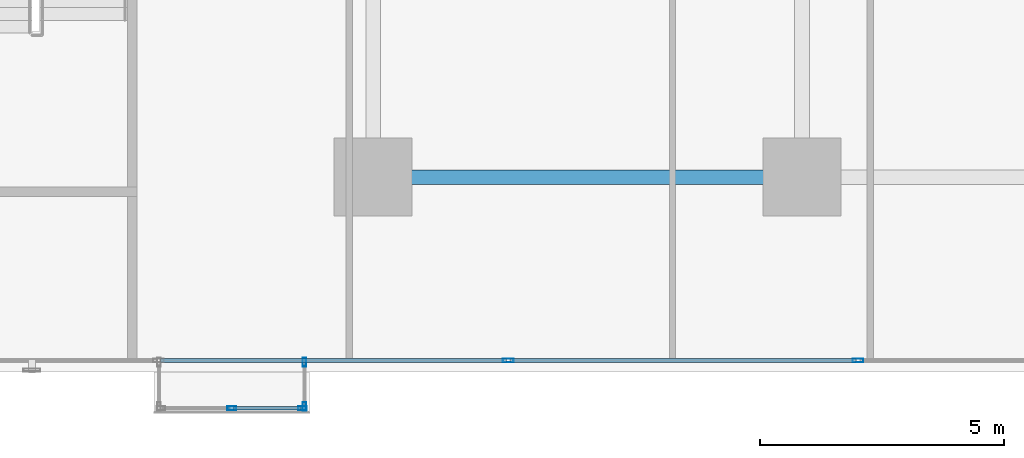
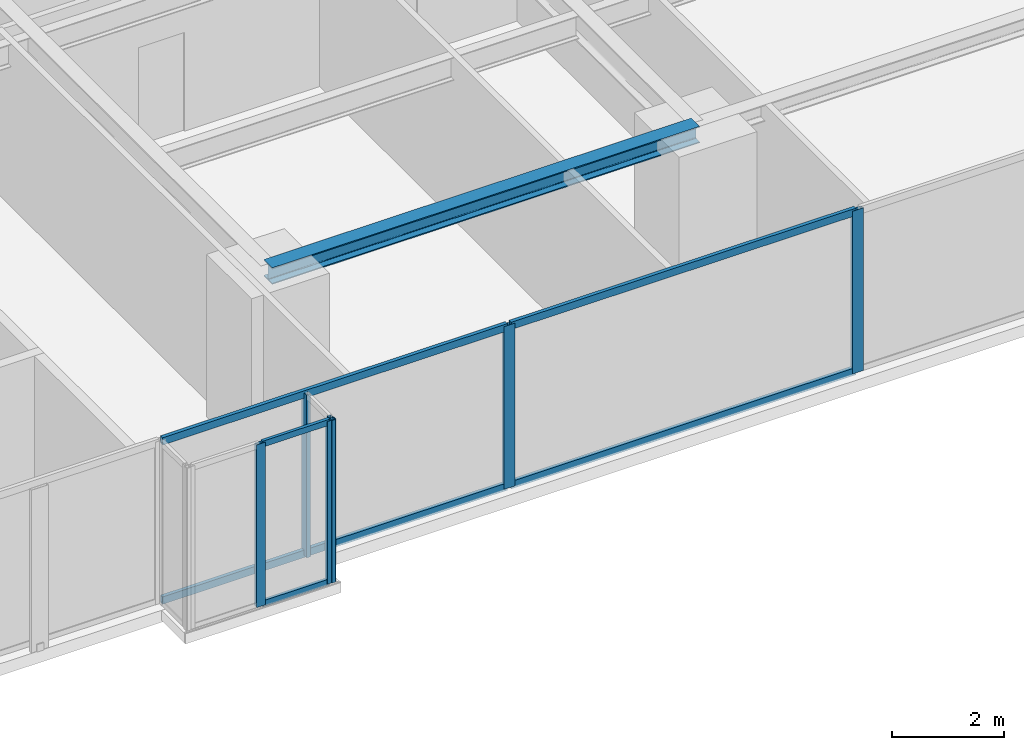
# One storey, part 9 of 31: 12 members, 1 beam, 3 elements without a shape of their own.
"""IFC4 building model written with IfcOpenShell, lengths in metres."""

from ifc_helpers import new_model, si_unit, direction, frame, origin, origin_with_axes, origin_2d, place, context, subcontext, project, spatial, hollow_rectangle, i_section, extrude, source, transform, mapped, material, layer, layer_set, material_profile, profile_set, type_object, element, aggregate, save


model = new_model("IFC4")

# Units and contexts
model_context = context("Model", 3, precision=1e-05, world=origin(), true_north=direction((0.0, 1.0)))
body_context = subcontext(model_context, "Body", "Model", "MODEL_VIEW")
ifc_project = project(units=[si_unit("LENGTHUNIT", "METRE"), si_unit("AREAUNIT", "SQUARE_METRE"), si_unit("VOLUMEUNIT", "CUBIC_METRE"), si_unit("PLANEANGLEUNIT", "RADIAN"), si_unit("MASSUNIT", "GRAM", prefix="KILO")], contexts=[model_context])

# Site, building, storey
site_placement = place(None, origin())
site = spatial("IfcSite", under=ifc_project, at=site_placement, CompositionType="ELEMENT")
building_placement = place(site_placement, origin())
building = spatial("IfcBuilding", under=site, at=building_placement, Name="Kolvaren Waterfront Exchange", CompositionType="ELEMENT")
storey_placement = place(building_placement, frame((0.0, 0.0, 67.60009765625)))
storey = spatial("IfcBuildingStorey", under=building, at=storey_placement, Name="L17", CompositionType="ELEMENT", Elevation=67.60009765625)

# Beam
ifc_material_1 = material(Name="Steel S355", Category="steel")
ifc_material_profile_1 = material_profile(ifc_material_1, i_section(OverallWidth=0.300048828125, OverallDepth=0.360107421875, WebThickness=0.012451171875, FlangeThickness=0.0224609375, FilletRadius=0.027099609375, at=origin_2d()), Name="HEB360")
ifc_profile_set_1 = profile_set([ifc_material_profile_1], Name="Steel S355")
beam_type = type_object("IfcBeamType", Name="STR-BM-HEB360", PredefinedType="SPANDREL", material=ifc_profile_set_1)
beam_placement = place(storey_placement, frame((36.800048828125, 5.199951171875, 3.35986328125), z_axis=(1.0, 0.0, 0.0), x_axis=(0.0, 1.0, 0.0)))
element("IfcBeam", 1, at=beam_placement, inside=storey, type_object=beam_type, Name="L17 east-arm spandrel S3", PredefinedType="SPANDREL", context=body_context, shape_type="SweptSolid", body=[
    extrude(i_section(OverallWidth=0.300048828125, OverallDepth=0.360107421875, WebThickness=0.012451171875, FlangeThickness=0.0224609375, FilletRadius=0.027099609375, at=origin_2d()), origin(), (0.0, 0.0, 1.0), 8.800048828125),
])

# Curtain wall, members
ifc_material_2 = material(Name="Anodised bronze aluminium 6063-T6", Category="aluminium")
ifc_layer_1 = layer(ifc_material_2, 0.219970703125, Name="Anodised bronze aluminium 6063-T6")
ifc_layer_set_1 = layer_set([ifc_layer_1], Name="Anodised bronze aluminium 6063-T6")
curtain_wall_type_1 = type_object("IfcCurtainWallType", Name="ARC-CW-SYS1", PredefinedType="USERDEFINED", material=ifc_layer_set_1)
curtain_wall_1_placement = place(storey_placement, origin())
curtain_wall_1 = element("IfcCurtainWall", 2, at=curtain_wall_1_placement, inside=storey, type_object=curtain_wall_type_1, Name="L17 stick curtain wall CW1 (CW-L17-S)", ObjectType="STICK CURTAIN WALL", PredefinedType="USERDEFINED")
ifc_material_3 = material(Name="Anodised aluminium 6063-T6", Category="aluminium")
ifc_material_profile_2 = material_profile(ifc_material_3, hollow_rectangle(XDim=0.080078125, YDim=0.219970703125, WallThickness=0.0048828125, at=origin_2d()), Name="ALU-MUL-220x80x5")
ifc_profile_set_2 = profile_set([ifc_material_profile_2], Name="Anodised aluminium 6063-T6")
member_type_1 = type_object("IfcMemberType", Name="ARC-CWM-220", PredefinedType="MULLION", material=ifc_profile_set_2)
shared_shape_1 = source(origin_with_axes(), body_context, "Body", "SweptSolid", [
    extrude(hollow_rectangle(XDim=0.080078125, YDim=0.219970703125, WallThickness=0.0048828125, at=origin_2d()), origin(), (0.0, 0.0, 1.0), 3.539794921875),
])
member_1_placement = place(storey_placement, frame((39.574951171875, 1.43994140625, 0.0), z_axis=(0.0, 0.0, 1.0), x_axis=(0.0, 1.0, 0.0)))
member_1 = element("IfcMember", 3, at=member_1_placement, type_object=member_type_1, Name="CW1 mullion 6", PredefinedType="MULLION", context=body_context, shape_type="MappedRepresentation", body=[
    mapped(shared_shape_1, transform((0.0, 0.0, 0.0), x_axis=(1.0, 0.0, 0.0), y_axis=(0.0, 1.0, 0.0), z_axis=(0.0, 0.0, 1.0), scale=1.0)),
])
member_2_placement = place(storey_placement, frame((46.75, 1.43994140625, 0.0), z_axis=(0.0, 0.0, 1.0), x_axis=(0.0, 1.0, 0.0)))
member_2 = element("IfcMember", 4, at=member_2_placement, type_object=member_type_1, Name="CW1 mullion 7", PredefinedType="MULLION", context=body_context, shape_type="MappedRepresentation", body=[
    mapped(shared_shape_1, transform((0.0, 0.0, 0.0), x_axis=(1.0, 0.0, 0.0), y_axis=(0.0, 1.0, 0.0), z_axis=(0.0, 0.0, 1.0), scale=1.0)),
])
ifc_material_profile_3 = material_profile(ifc_material_3, hollow_rectangle(XDim=0.074951171875, YDim=0.159912109375, WallThickness=0.00439453125, at=origin_2d()), Name="ALU-TRN-160x75x4.5")
ifc_profile_set_3 = profile_set([ifc_material_profile_3], Name="Anodised aluminium 6063-T6")
member_type_2 = type_object("IfcMemberType", Name="ARC-CWT-160", PredefinedType="USERDEFINED", material=ifc_profile_set_3)
shared_shape_2 = source(origin_with_axes(), body_context, "Body", "SweptSolid", [
    extrude(hollow_rectangle(XDim=0.074951171875, YDim=0.159912109375, WallThickness=0.00439453125, at=origin_2d()), origin(), (0.0, 0.0, 1.0), 7.094970703125),
])
member_3_placement = place(storey_placement, frame((32.43994140625, 1.43994140625, 0.037353515625), z_axis=(1.0, 0.0, 0.0), x_axis=(0.0, 1.0, 0.0)))
member_3 = element("IfcMember", 5, at=member_3_placement, type_object=member_type_2, Name="CW1 transom 5.1", ObjectType="TRANSOM", PredefinedType="USERDEFINED", context=body_context, shape_type="MappedRepresentation", body=[
    mapped(shared_shape_2, transform((0.0, 0.0, 0.0), x_axis=(1.0, 0.0, 0.0), y_axis=(0.0, 1.0, 0.0), z_axis=(0.0, 0.0, 1.0), scale=1.0)),
])
member_4_placement = place(storey_placement, frame((32.43994140625, 1.43994140625, 3.50244140625), z_axis=(1.0, 0.0, 0.0), x_axis=(0.0, 1.0, 0.0)))
member_4 = element("IfcMember", 6, at=member_4_placement, type_object=member_type_2, Name="CW1 transom 5.2", ObjectType="TRANSOM", PredefinedType="USERDEFINED", context=body_context, shape_type="MappedRepresentation", body=[
    mapped(shared_shape_2, transform((0.0, 0.0, 0.0), x_axis=(1.0, 0.0, 0.0), y_axis=(0.0, 1.0, 0.0), z_axis=(0.0, 0.0, 1.0), scale=1.0)),
])
member_5_placement = place(storey_placement, frame((39.614990234375, 1.43994140625, 0.037353515625), z_axis=(1.0, 0.0, 0.0), x_axis=(0.0, 1.0, 0.0)))
member_5 = element("IfcMember", 7, at=member_5_placement, type_object=member_type_2, Name="CW1 transom 6.1", ObjectType="TRANSOM", PredefinedType="USERDEFINED", context=body_context, shape_type="MappedRepresentation", body=[
    mapped(shared_shape_2, transform((0.0, 0.0, 0.0), x_axis=(1.0, 0.0, 0.0), y_axis=(0.0, 1.0, 0.0), z_axis=(0.0, 0.0, 1.0), scale=1.0)),
])
member_6_placement = place(storey_placement, frame((39.614990234375, 1.43994140625, 3.50244140625), z_axis=(1.0, 0.0, 0.0), x_axis=(0.0, 1.0, 0.0)))
member_6 = element("IfcMember", 8, at=member_6_placement, type_object=member_type_2, Name="CW1 transom 6.2", ObjectType="TRANSOM", PredefinedType="USERDEFINED", context=body_context, shape_type="MappedRepresentation", body=[
    mapped(shared_shape_2, transform((0.0, 0.0, 0.0), x_axis=(1.0, 0.0, 0.0), y_axis=(0.0, 1.0, 0.0), z_axis=(0.0, 0.0, 1.0), scale=1.0)),
])
aggregate(curtain_wall_1, [member_1, member_2, member_3, member_4, member_5, member_6])

ifc_layer_2 = layer(ifc_material_2, 0.219970703125, Name="Anodised bronze aluminium 6063-T6")
ifc_layer_set_2 = layer_set([ifc_layer_2], Name="Anodised bronze aluminium 6063-T6")
curtain_wall_type_2 = type_object("IfcCurtainWallType", Name="ARC-CW-SYS3", PredefinedType="USERDEFINED", material=ifc_layer_set_2)
curtain_wall_2_placement = place(storey_placement, origin())
curtain_wall_2 = element("IfcCurtainWall", 9, at=curtain_wall_2_placement, inside=storey, type_object=curtain_wall_type_2, Name="L17 stick curtain wall CW3 (CW-L17-BOX)", ObjectType="STICK CURTAIN WALL", PredefinedType="USERDEFINED")
ifc_material_profile_4 = material_profile(ifc_material_2, hollow_rectangle(XDim=0.06494140625, YDim=0.1298828125, WallThickness=0.00390625, at=origin_2d()), Name="ALU-TRN-130x65x4")
ifc_profile_set_4 = profile_set([ifc_material_profile_4], Name="Anodised bronze aluminium 6063-T6")
member_type_3 = type_object("IfcMemberType", Name="ARC-CWT-130", PredefinedType="USERDEFINED", material=ifc_profile_set_4)
shared_shape_3 = source(origin_with_axes(), body_context, "Body", "SweptSolid", [
    extrude(hollow_rectangle(XDim=0.06494140625, YDim=0.1298828125, WallThickness=0.00390625, at=origin_2d()), origin(), (0.0, 0.0, 1.0), 1.37744140625),
])
member_7_placement = place(storey_placement, frame((33.9375, 0.4599609375, 0.032470703125), z_axis=(1.0, 0.0, 0.0), x_axis=(0.0, 1.0, 0.0)))
member_7 = element("IfcMember", 10, at=member_7_placement, type_object=member_type_3, Name="CW3 transom 2.1", ObjectType="TRANSOM", PredefinedType="USERDEFINED", context=body_context, shape_type="MappedRepresentation", body=[
    mapped(shared_shape_3, transform((0.0, 0.0, 0.0), x_axis=(1.0, 0.0, 0.0), y_axis=(0.0, 1.0, 0.0), z_axis=(0.0, 0.0, 1.0), scale=1.0)),
])
member_8_placement = place(storey_placement, frame((33.9375, 0.4599609375, 3.50732421875), z_axis=(1.0, 0.0, 0.0), x_axis=(0.0, 1.0, 0.0)))
member_8 = element("IfcMember", 11, at=member_8_placement, type_object=member_type_3, Name="CW3 transom 2.2", ObjectType="TRANSOM", PredefinedType="USERDEFINED", context=body_context, shape_type="MappedRepresentation", body=[
    mapped(shared_shape_3, transform((0.0, 0.0, 0.0), x_axis=(1.0, 0.0, 0.0), y_axis=(0.0, 1.0, 0.0), z_axis=(0.0, 0.0, 1.0), scale=1.0)),
])
ifc_material_profile_5 = material_profile(ifc_material_2, hollow_rectangle(XDim=0.074951171875, YDim=0.179931640625, WallThickness=0.00439453125, at=origin_2d()), Name="ALU-MUL-180x75x4.5")
ifc_profile_set_5 = profile_set([ifc_material_profile_5], Name="Anodised bronze aluminium 6063-T6")
member_type_4 = type_object("IfcMemberType", Name="ARC-CWM-180", PredefinedType="MULLION", material=ifc_profile_set_5)
shared_shape_4 = source(origin_with_axes(), body_context, "Body", "SweptSolid", [
    extrude(hollow_rectangle(XDim=0.074951171875, YDim=0.179931640625, WallThickness=0.00439453125, at=origin_2d()), origin(), (0.0, 0.0, 1.0), 3.539794921875),
])
member_9_placement = place(storey_placement, frame((33.89990234375, 0.4599609375, 0.0), z_axis=(0.0, 0.0, 1.0), x_axis=(0.0, 1.0, 0.0)))
member_9 = element("IfcMember", 12, at=member_9_placement, type_object=member_type_4, Name="CW3 mullion 2", PredefinedType="MULLION", context=body_context, shape_type="MappedRepresentation", body=[
    mapped(shared_shape_4, transform((0.0, 0.0, 0.0), x_axis=(1.0, 0.0, 0.0), y_axis=(0.0, 1.0, 0.0), z_axis=(0.0, 0.0, 1.0), scale=1.0)),
])
member_10_placement = place(storey_placement, frame((35.3525390625, 0.4599609375, 0.0), z_axis=(0.0, 0.0, 1.0), x_axis=(0.0, 1.0, 0.0)))
member_10 = element("IfcMember", 13, at=member_10_placement, type_object=member_type_4, Name="CW3 mullion 3", PredefinedType="MULLION", context=body_context, shape_type="MappedRepresentation", body=[
    mapped(shared_shape_4, transform((0.0, 0.0, 0.0), x_axis=(1.0, 0.0, 0.0), y_axis=(0.0, 1.0, 0.0), z_axis=(0.0, 0.0, 1.0), scale=1.0)),
])
aggregate(curtain_wall_2, [member_9, member_10, member_7, member_8])

curtain_wall_3_placement = place(storey_placement, origin())
curtain_wall_3 = element("IfcCurtainWall", 14, at=curtain_wall_3_placement, inside=storey, type_object=curtain_wall_type_2, Name="L17 stick curtain wall CW3 (CW-L17-BOX-E)", ObjectType="STICK CURTAIN WALL", PredefinedType="USERDEFINED")
member_11_placement = place(storey_placement, frame((35.389892578125, 0.49755859375, 0.0), z_axis=(0.0, 0.0, 1.0), x_axis=(-1.0, 0.0, 0.0)))
member_11 = element("IfcMember", 15, at=member_11_placement, type_object=member_type_4, Name="CW3 mullion 1", PredefinedType="MULLION", context=body_context, shape_type="MappedRepresentation", body=[
    mapped(shared_shape_4, transform((0.0, 0.0, 0.0), x_axis=(1.0, 0.0, 0.0), y_axis=(0.0, 1.0, 0.0), z_axis=(0.0, 0.0, 1.0), scale=1.0)),
])
member_12_placement = place(storey_placement, frame((35.389892578125, 1.402587890625, 0.0), z_axis=(0.0, 0.0, 1.0), x_axis=(-1.0, 0.0, 0.0)))
member_12 = element("IfcMember", 16, at=member_12_placement, type_object=member_type_4, Name="CW3 mullion 2", PredefinedType="MULLION", context=body_context, shape_type="MappedRepresentation", body=[
    mapped(shared_shape_4, transform((0.0, 0.0, 0.0), x_axis=(1.0, 0.0, 0.0), y_axis=(0.0, 1.0, 0.0), z_axis=(0.0, 0.0, 1.0), scale=1.0)),
])
aggregate(curtain_wall_3, [member_11, member_12])

save(model, "model.ifc")
